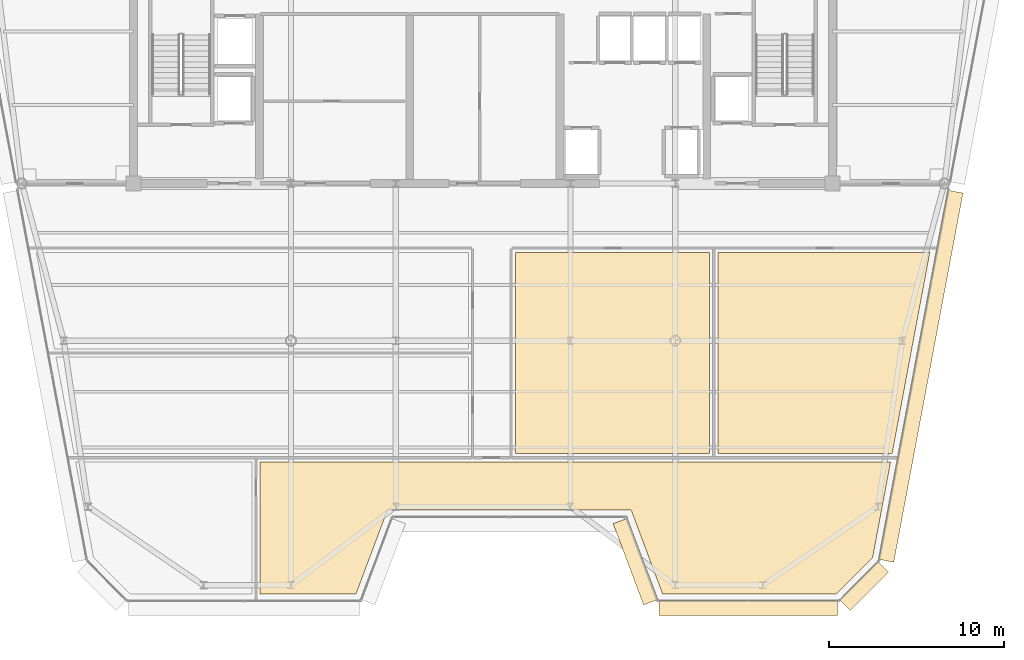
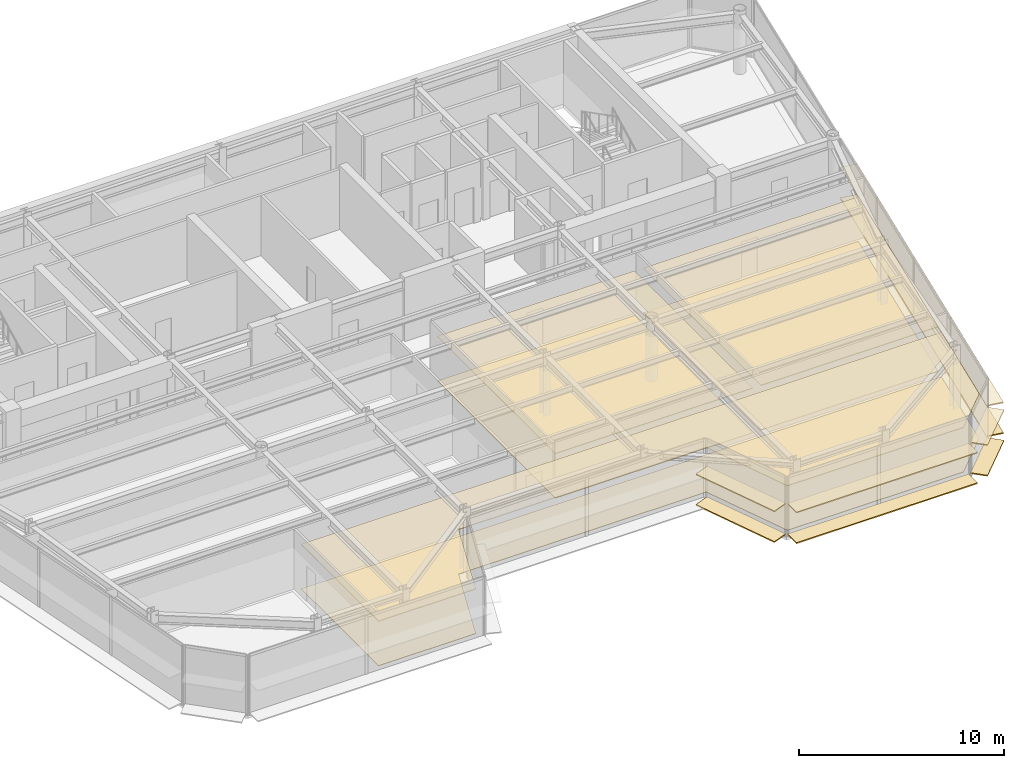
# One storey, part 15 of 19: 14 coverings.
"""IFC4 building model written with IfcOpenShell, lengths in metres."""

from ifc_helpers import new_model, si_unit, direction, frame, origin, origin_2d, place, context, subcontext, project, spatial, polyline, rectangle, outline, extrude, source, transform, mapped, material, layer, layer_set, type_object, element, save


model = new_model("IFC4")

# Units and contexts
model_context = context("Model", 3, precision=1e-05, world=origin(), true_north=direction((0.0, 1.0)))
body_context = subcontext(model_context, "Body", "Model", "MODEL_VIEW")
ifc_project = project(units=[si_unit("LENGTHUNIT", "METRE"), si_unit("AREAUNIT", "SQUARE_METRE"), si_unit("VOLUMEUNIT", "CUBIC_METRE"), si_unit("PLANEANGLEUNIT", "RADIAN"), si_unit("MASSUNIT", "GRAM", prefix="KILO")], contexts=[model_context])

# Site, building, storey
site_placement = place(None, origin())
site = spatial("IfcSite", under=ifc_project, at=site_placement, CompositionType="ELEMENT")
building_placement = place(site_placement, origin())
building = spatial("IfcBuilding", under=site, at=building_placement, Name="Vaeldorn Concourse Tower", CompositionType="ELEMENT")
storey_placement = place(building_placement, frame((0.0, 0.0, 272.60009765625)))
storey = spatial("IfcBuildingStorey", under=building, at=storey_placement, Name="L70", CompositionType="ELEMENT", Elevation=272.60009765625)

# Coverings
ifc_material_1 = material(Name="Acoustic Mineral Fibre Board", Category="gypsum")
ifc_layer_1 = layer(ifc_material_1, 0.0400390625)
ifc_layer_set_1 = layer_set([ifc_layer_1], Name="Acoustic Mineral Fibre Board")
covering_type_1 = type_object("IfcCoveringType", Name="COV-CEIL-ACOUSTIC", PredefinedType="CEILING", material=ifc_layer_set_1)
covering_1_placement = place(storey_placement, frame((0.0, 0.0, 2.64990234375)))
element("IfcCovering", 1, at=covering_1_placement, inside=storey, type_object=covering_type_1, Name="Suspended Acoustic Ceiling L70-6", PredefinedType="CEILING", context=body_context, shape_type="SweptSolid", body=[
    extrude(outline(polyline([(26.722900390625, 13.0), (21.239990234375, 13.0), (21.239990234375, 20.56005859375), (57.318115234375, 20.56005859375), (56.4521484375, 15.941162109375), (56.4521484375, 15.941162109375), (56.293701171875, 15.09521484375), (54.1982421875, 13.0), (44.277099609375, 13.0), (42.477294921875, 17.800048828125), (28.522705078125, 17.800048828125), (26.722900390625, 13.0)])), origin(), (0.0, 0.0, 1.0), 0.0400390625),
])
covering_2_placement = place(storey_placement, frame((0.0, 0.0, 2.64990234375)))
element("IfcCovering", 2, at=covering_2_placement, inside=storey, type_object=covering_type_1, Name="Suspended Acoustic Ceiling L70-9", PredefinedType="CEILING", context=body_context, shape_type="SweptSolid", body=[
    extrude(outline(polyline([(35.840087890625, 32.56005859375), (46.9599609375, 32.56005859375), (46.9599609375, 21.0400390625), (35.840087890625, 21.0400390625), (35.840087890625, 32.56005859375)])), origin(), (0.0, 0.0, 1.0), 0.0400390625),
])
covering_3_placement = place(storey_placement, frame((0.0, 0.0, 2.64990234375)))
element("IfcCovering", 3, at=covering_3_placement, inside=storey, type_object=covering_type_1, Name="Suspended Acoustic Ceiling L70-10", PredefinedType="CEILING", context=body_context, shape_type="SweptSolid", body=[
    extrude(outline(polyline([(47.43994140625, 21.0400390625), (47.43994140625, 32.56005859375), (59.5673828125, 32.56005859375), (57.407958984375, 21.0400390625), (47.43994140625, 21.0400390625)])), origin(), (0.0, 0.0, 1.0), 0.0400390625),
])
ifc_material_2 = material(Name="Honed Limestone Terrazzo Flooring", Category="masonry")
ifc_layer_2 = layer(ifc_material_2, 0.0400390625)
ifc_layer_set_2 = layer_set([ifc_layer_2], Name="Honed Limestone Terrazzo Flooring")
covering_type_2 = type_object("IfcCoveringType", Name="COV-FLOOR-STONE", PredefinedType="FLOORING", material=ifc_layer_set_2)
covering_4_placement = place(storey_placement, origin())
element("IfcCovering", 4, at=covering_4_placement, inside=storey, type_object=covering_type_2, Name="Floor Finish Covering L70-6", PredefinedType="FLOORING", context=body_context, shape_type="SweptSolid", body=[
    extrude(outline(polyline([(26.722900390625, 13.0), (21.239990234375, 13.0), (21.239990234375, 20.56005859375), (57.318115234375, 20.56005859375), (56.4521484375, 15.941162109375), (56.4521484375, 15.941162109375), (56.293701171875, 15.09521484375), (54.1982421875, 13.0), (44.277099609375, 13.0), (42.477294921875, 17.800048828125), (28.522705078125, 17.800048828125), (26.722900390625, 13.0)])), origin(), (0.0, 0.0, 1.0), 0.02978515625),
])
covering_5_placement = place(storey_placement, origin())
element("IfcCovering", 5, at=covering_5_placement, inside=storey, type_object=covering_type_2, Name="Floor Finish Covering L70-9", PredefinedType="FLOORING", context=body_context, shape_type="SweptSolid", body=[
    extrude(outline(polyline([(35.840087890625, 32.56005859375), (46.9599609375, 32.56005859375), (46.9599609375, 21.0400390625), (35.840087890625, 21.0400390625), (35.840087890625, 32.56005859375)])), origin(), (0.0, 0.0, 1.0), 0.02978515625),
])
covering_6_placement = place(storey_placement, origin())
element("IfcCovering", 6, at=covering_6_placement, inside=storey, type_object=covering_type_2, Name="Floor Finish Covering L70-10", PredefinedType="FLOORING", context=body_context, shape_type="SweptSolid", body=[
    extrude(outline(polyline([(47.43994140625, 21.0400390625), (47.43994140625, 32.56005859375), (59.5673828125, 32.56005859375), (57.407958984375, 21.0400390625), (47.43994140625, 21.0400390625)])), origin(), (0.0, 0.0, 1.0), 0.02978515625),
])
ifc_material_3 = material(Name="Anodised Bronze Aluminium", Category="aluminium")
ifc_layer_3 = layer(ifc_material_3, 0.06494140625)
ifc_layer_set_3 = layer_set([ifc_layer_3], Name="Anodised Bronze Aluminium")
covering_type_3 = type_object("IfcCoveringType", Name="SD-BRONZE-SUNSHADE", PredefinedType="USERDEFINED", material=ifc_layer_set_3)
shared_shape_1 = source(origin(), body_context, "Body", "SweptSolid", [
    extrude(rectangle(XDim=4.96630859375, YDim=0.8798828125, at=origin_2d()), origin(), (0.0, 0.0, 1.0), 0.06494140625),
])
for number, where, z_axis, x_axis, name in (
    (7, (42.7255859375, 14.859619140625, 0.04736328125), (0.0, 0.0, 1.0), (0.351122702609, -0.936329454686, 0.0), "Horizontal Bronze Sunshade L70-E04.1.1"),
    (8, (42.7255859375, 14.859619140625, 1.867431640625), (0.0, 0.0, 1.0), (0.351122702609, -0.936329454686, 0.0), "Horizontal Bronze Sunshade L70-E04.1.2"),
):
    element("IfcCovering", number, at=place(storey_placement, frame(where, z_axis=z_axis, x_axis=x_axis)), inside=storey, type_object=covering_type_3, Name=name, ObjectType="SUNSHADE", PredefinedType="USERDEFINED", context=body_context, shape_type="MappedRepresentation", body=[
        mapped(shared_shape_1, transform((0.0, 0.0, 0.0), scale=1.0)),
    ])
shared_shape_2 = source(origin(), body_context, "Body", "SweptSolid", [
    extrude(rectangle(XDim=3.0927734375, YDim=0.8798828125, at=origin_2d()), origin(), (0.0, 0.0, 1.0), 0.06494140625),
])
for number, where, z_axis, x_axis, name in (
    (9, (55.796875, 13.46728515625, 0.04736328125), (0.0, 0.0, 1.0), (0.707106781187, 0.707106781187, 0.0), "Horizontal Bronze Sunshade L70-E06.1.1"),
    (10, (55.796875, 13.46728515625, 1.867431640625), (0.0, 0.0, 1.0), (0.707106781187, 0.707106781187, 0.0), "Horizontal Bronze Sunshade L70-E06.1.2"),
):
    element("IfcCovering", number, at=place(storey_placement, frame(where, z_axis=z_axis, x_axis=x_axis)), inside=storey, type_object=covering_type_3, Name=name, ObjectType="SUNSHADE", PredefinedType="USERDEFINED", context=body_context, shape_type="MappedRepresentation", body=[
        mapped(shared_shape_2, transform((0.0, 0.0, 0.0), scale=1.0)),
    ])
shared_shape_3 = source(origin(), body_context, "Body", "SweptSolid", [
    extrude(rectangle(XDim=21.49560546875, YDim=0.8798828125, at=origin_2d()), origin(), (0.0, 0.0, 1.0), 0.06494140625),
])
for number, where, z_axis, x_axis, name in (
    (11, (59.05224609375, 25.46875, 0.04736328125), (0.0, 0.0, 1.0), (0.1842429853, 0.98288072642, 0.0), "Horizontal Bronze Sunshade L70-E07.1.1"),
    (12, (59.05224609375, 25.46875, 1.867431640625), (0.0, 0.0, 1.0), (0.1842429853, 0.98288072642, 0.0), "Horizontal Bronze Sunshade L70-E07.1.2"),
):
    element("IfcCovering", number, at=place(storey_placement, frame(where, z_axis=z_axis, x_axis=x_axis)), inside=storey, type_object=covering_type_3, Name=name, ObjectType="SUNSHADE", PredefinedType="USERDEFINED", context=body_context, shape_type="MappedRepresentation", body=[
        mapped(shared_shape_3, transform((0.0, 0.0, 0.0), scale=1.0)),
    ])
shared_shape_4 = source(origin(), body_context, "Body", "SweptSolid", [
    extrude(rectangle(XDim=10.2041015625, YDim=0.8798828125, at=origin_2d()), origin(), (0.0, 0.0, 1.0), 0.06494140625),
])
for number, where, z_axis, x_axis, name in (
    (13, (49.181884765625, 12.199951171875, 0.04736328125), (0.0, 0.0, 1.0), (1.0, 0.0, 0.0), "Horizontal Bronze Sunshade L70-E05.1.1"),
    (14, (49.181884765625, 12.199951171875, 1.867431640625), (0.0, 0.0, 1.0), (1.0, 0.0, 0.0), "Horizontal Bronze Sunshade L70-E05.1.2"),
):
    element("IfcCovering", number, at=place(storey_placement, frame(where, z_axis=z_axis, x_axis=x_axis)), inside=storey, type_object=covering_type_3, Name=name, ObjectType="SUNSHADE", PredefinedType="USERDEFINED", context=body_context, shape_type="MappedRepresentation", body=[
        mapped(shared_shape_4, transform((0.0, 0.0, 0.0), scale=1.0)),
    ])

save(model, "model.ifc")
